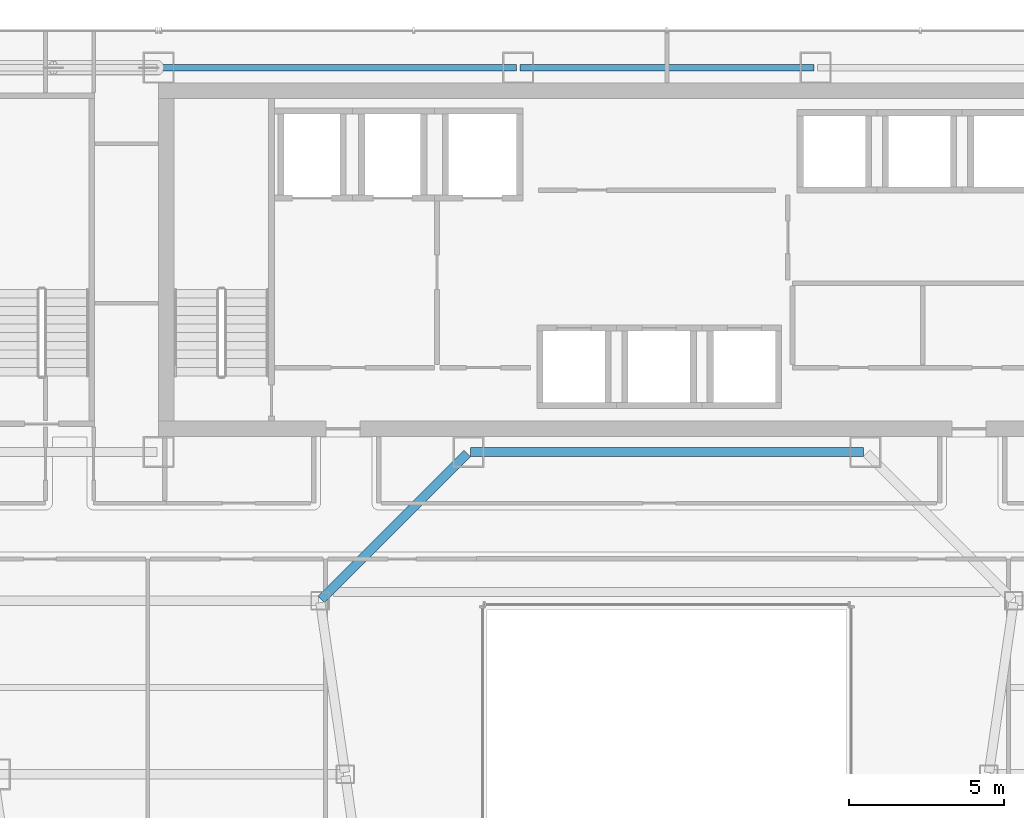
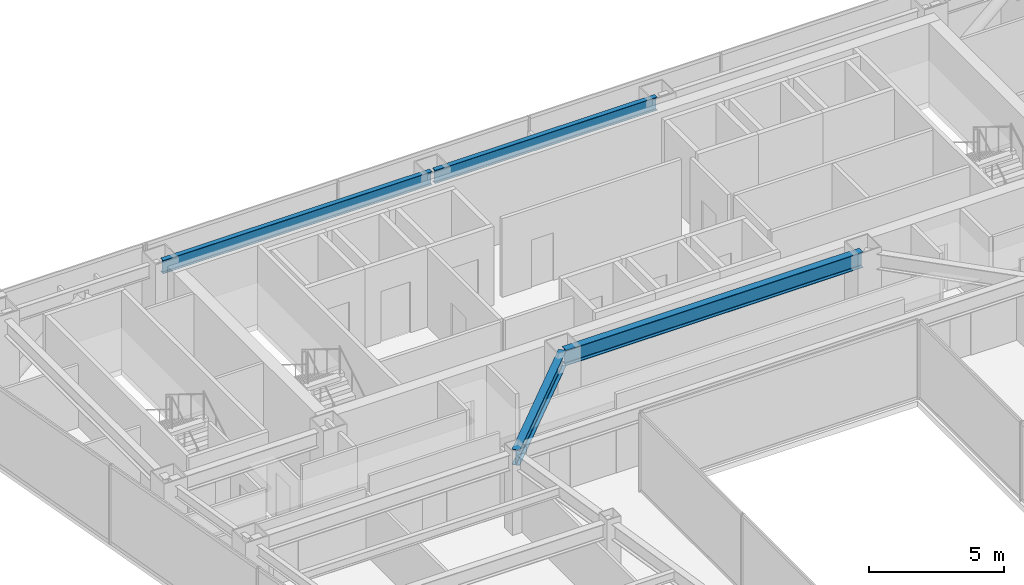
# One storey, part 25 of 40: 4 beams.
"""IFC4 building model written with IfcOpenShell, lengths in metres."""

from ifc_helpers import new_model, si_unit, direction, frame, origin, origin_2d, place, context, subcontext, project, spatial, i_section, extrude, material, material_profile, profile_set, type_object, element, save


model = new_model("IFC4")

# Units and contexts
model_context = context("Model", 3, precision=1e-05, world=origin(), true_north=direction((0.0, 1.0)))
body_context = subcontext(model_context, "Body", "Model", "MODEL_VIEW")
ifc_project = project(units=[si_unit("LENGTHUNIT", "METRE"), si_unit("AREAUNIT", "SQUARE_METRE"), si_unit("VOLUMEUNIT", "CUBIC_METRE"), si_unit("PLANEANGLEUNIT", "RADIAN"), si_unit("MASSUNIT", "GRAM", prefix="KILO")], contexts=[model_context])

# Site, building, storey
site_placement = place(None, origin())
site = spatial("IfcSite", under=ifc_project, at=site_placement, CompositionType="ELEMENT")
building_placement = place(site_placement, origin())
building = spatial("IfcBuilding", under=site, at=building_placement, Name="Saevonmaru Cultural Tower", CompositionType="ELEMENT")
storey_placement = place(building_placement, frame((0.0, 0.0, 129.60009765625)))
storey = spatial("IfcBuildingStorey", under=building, at=storey_placement, Name="L27", CompositionType="ELEMENT", Elevation=129.60009765625)

# Beams
ifc_material = material(Name="Steel SM355", Category="steel")
ifc_material_profile_1 = material_profile(ifc_material, i_section(OverallWidth=0.300048828125, OverallDepth=0.699951171875, WebThickness=0.012939453125, FlangeThickness=0.02392578125, FilletRadius=0.02587890625, at=origin_2d()), Name="H-700x300x13x24")
ifc_profile_set_1 = profile_set([ifc_material_profile_1], Name="Steel SM355")
beam_type_1 = type_object("IfcBeamType", Name="BM-G-H700", PredefinedType="BEAM", material=ifc_profile_set_1)
beam_1_placement = place(storey_placement, frame((23.659912109375, 42.39990234375, 3.199951171875), z_axis=(1.0, 0.0, 0.0), x_axis=(0.0, 1.0, 0.0)))
element("IfcBeam", 1, at=beam_1_placement, inside=storey, type_object=beam_type_1, Name="L27 Core South Girder 3", PredefinedType="BEAM", context=body_context, shape_type="SweptSolid", body=[
    extrude(i_section(OverallWidth=0.300048828125, OverallDepth=0.699951171875, WebThickness=0.012939453125, FlangeThickness=0.02392578125, FilletRadius=0.02587890625, at=origin_2d()), origin(), (0.0, 0.0, 1.0), 12.68017578125),
])
beam_2_placement = place(storey_placement, frame((18.850341796875, 37.642578125, 3.199951171875), z_axis=(0.706538566564, 0.707674539572, 0.0), x_axis=(-0.707674539572, 0.706538566564, 0.0)))
element("IfcBeam", 2, at=beam_2_placement, inside=storey, type_object=beam_type_1, Name="L27 West Atrium Girder 5", PredefinedType="BEAM", context=body_context, shape_type="SweptSolid", body=[
    extrude(i_section(OverallWidth=0.300048828125, OverallDepth=0.699951171875, WebThickness=0.012939453125, FlangeThickness=0.02392578125, FilletRadius=0.02587890625, at=origin_2d()), origin(), (0.0, 0.0, 1.0), 6.662353515625),
])
ifc_material_profile_2 = material_profile(ifc_material, i_section(OverallWidth=0.199951171875, OverallDepth=0.60009765625, WebThickness=0.010986328125, FlangeThickness=0.01708984375, FilletRadius=0.02197265625, at=origin_2d()), Name="H-600x200x11x17")
ifc_profile_set_2 = profile_set([ifc_material_profile_2], Name="Steel SM355")
beam_type_2 = type_object("IfcBeamType", Name="BM-SP-H600", PredefinedType="SPANDREL", material=ifc_profile_set_2)
beam_3_placement = place(storey_placement, frame((13.659912109375, 54.800048828125, 3.25), z_axis=(1.0, 0.0, 0.0), x_axis=(0.0, 1.0, 0.0)))
element("IfcBeam", 3, at=beam_3_placement, inside=storey, type_object=beam_type_2, Name="L27 North Spine Girder 2", PredefinedType="SPANDREL", context=body_context, shape_type="SweptSolid", body=[
    extrude(i_section(OverallWidth=0.199951171875, OverallDepth=0.60009765625, WebThickness=0.010986328125, FlangeThickness=0.01708984375, FilletRadius=0.02197265625, at=origin_2d()), origin(), (0.0, 0.0, 1.0), 11.47998046875),
])
beam_4_placement = place(storey_placement, frame((25.260009765625, 54.800048828125, 3.25), z_axis=(1.0, 0.0, 0.0), x_axis=(0.0, 1.0, 0.0)))
element("IfcBeam", 4, at=beam_4_placement, inside=storey, type_object=beam_type_2, Name="L27 North Spine Girder 3", PredefinedType="SPANDREL", context=body_context, shape_type="SweptSolid", body=[
    extrude(i_section(OverallWidth=0.199951171875, OverallDepth=0.60009765625, WebThickness=0.010986328125, FlangeThickness=0.01708984375, FilletRadius=0.02197265625, at=origin_2d()), origin(), (0.0, 0.0, 1.0), 9.47998046875),
])

save(model, "model.ifc")
